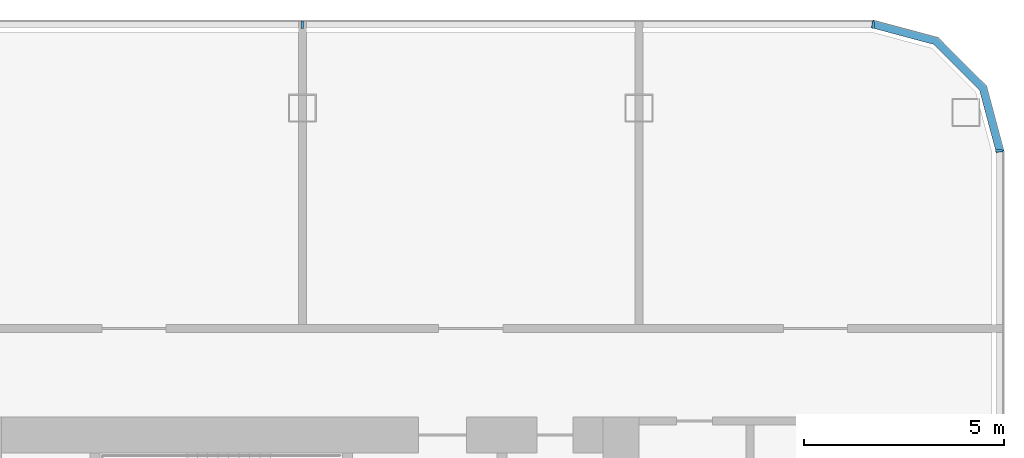
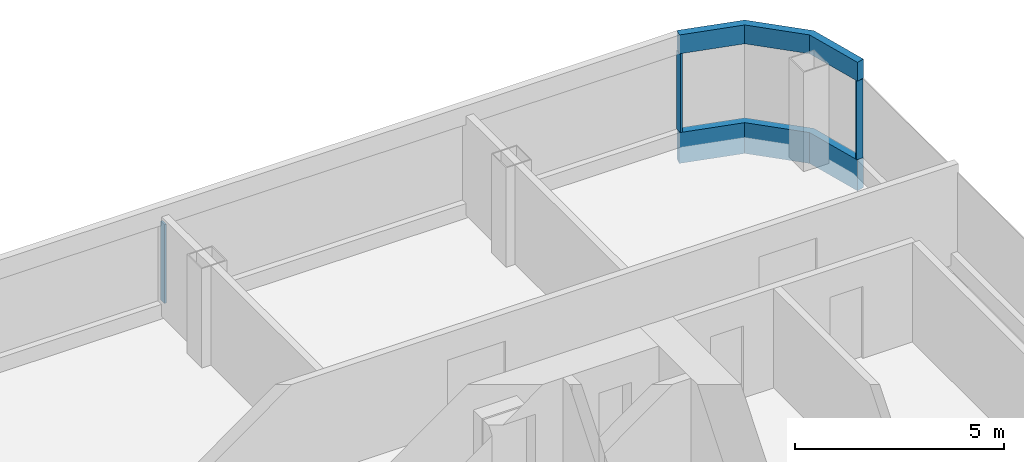
# One storey, part 10 of 26: 5 members, 3 elements without a shape of their own.
"""IFC4 building model written with IfcOpenShell, lengths in metres."""

from ifc_helpers import new_model, si_unit, direction, frame, origin, origin_2d, place, context, subcontext, project, spatial, polyline, rectangle, outline, extrude, material, layer, layer_set, material_profile, profile_set, type_object, element, aggregate, save


model = new_model("IFC4")

# Units and contexts
model_context = context("Model", 3, precision=1e-05, world=origin(), true_north=direction((0.0, 1.0)))
body_context = subcontext(model_context, "Body", "Model", "MODEL_VIEW")
ifc_project = project(units=[si_unit("LENGTHUNIT", "METRE"), si_unit("AREAUNIT", "SQUARE_METRE"), si_unit("VOLUMEUNIT", "CUBIC_METRE"), si_unit("PLANEANGLEUNIT", "RADIAN"), si_unit("MASSUNIT", "GRAM", prefix="KILO")], contexts=[model_context])

# Site, building, storey
site_placement = place(None, origin())
site = spatial("IfcSite", under=ifc_project, at=site_placement, CompositionType="ELEMENT")
building_placement = place(site_placement, origin())
building = spatial("IfcBuilding", under=site, at=building_placement, Name="Hakoniwa Tower and Hamabe Station Hall", CompositionType="ELEMENT")
storey_placement = place(building_placement, frame((0.0, 0.0, 172.60009765625)))
storey = spatial("IfcBuildingStorey", under=building, at=storey_placement, Name="L49", CompositionType="ELEMENT", Elevation=172.60009765625)

# Curtain wall, members
ifc_material_1 = material(Name="Dark low-e laminated glass", Category="glass")
ifc_layer = layer(ifc_material_1, 0.199951171875)
ifc_layer_set = layer_set([ifc_layer], Name="CW-1 UNITISED GUEST")
curtain_wall_type = type_object("IfcCurtainWallType", Name="CW-1 UNITISED GUEST", PredefinedType="NOTDEFINED", material=ifc_layer_set)
curtain_wall_1_placement = place(storey_placement, origin())
curtain_wall_1 = element("IfcCurtainWall", 1, at=curtain_wall_1_placement, inside=storey, type_object=curtain_wall_type, Name="CW-1 curtain wall", PredefinedType="NOTDEFINED")
ifc_material_2 = material(Name="Aluminium 6063-T5 black anodised", Category="aluminium")
ifc_material_profile_1 = material_profile(ifc_material_2, rectangle(XDim=0.199951171875, YDim=0.550048828125, at=origin_2d()), Name="CW HEAD BAND 550X200")
ifc_profile_set_1 = profile_set([ifc_material_profile_1], Name="Aluminium 6063-T5 black anodised")
member_type_1 = type_object("IfcMemberType", Name="CW HEAD BAND 550X200", PredefinedType="USERDEFINED", material=ifc_profile_set_1)
member_1_placement = place(storey_placement, frame((0.0, 0.0, 2.64990234375)))
member_1 = element("IfcMember", 2, at=member_1_placement, type_object=member_type_1, Name="CW-1 transom", ObjectType="TRANSOM", PredefinedType="USERDEFINED", context=body_context, shape_type="SweptSolid", body=[
    extrude(outline(polyline([(42.699951171875, 15.03955078125), (42.26708984375, 16.6552734375), (41.05517578125, 17.866943359375), (39.439453125, 18.300048828125), (39.3876953125, 18.10693359375), (40.95166015625, 17.687744140625), (42.087646484375, 16.5517578125), (42.5068359375, 14.98779296875), (42.699951171875, 15.03955078125)])), origin(), (0.0, 0.0, 1.0), 0.550048828125),
])
ifc_material_3 = material(Name="Aluminium 6063-T5 black anodised", Category="aluminium")
ifc_material_profile_2 = material_profile(ifc_material_3, rectangle(XDim=0.199951171875, YDim=0.89990234375, at=origin_2d()), Name="CW SLAB-EDGE BAND 900X200")
ifc_profile_set_2 = profile_set([ifc_material_profile_2], Name="Aluminium 6063-T5 black anodised")
member_type_2 = type_object("IfcMemberType", Name="CW SLAB-EDGE BAND 900X200", PredefinedType="USERDEFINED", material=ifc_profile_set_2)
member_2_placement = place(storey_placement, frame((0.0, 0.0, -0.550048828125)))
member_2 = element("IfcMember", 3, at=member_2_placement, type_object=member_type_2, Name="CW-1 transom", ObjectType="TRANSOM", PredefinedType="USERDEFINED", context=body_context, shape_type="SweptSolid", body=[
    extrude(outline(polyline([(42.699951171875, 15.03955078125), (42.26708984375, 16.6552734375), (41.05517578125, 17.866943359375), (39.439453125, 18.300048828125), (39.3876953125, 18.10693359375), (40.95166015625, 17.687744140625), (42.087646484375, 16.5517578125), (42.5068359375, 14.98779296875), (42.699951171875, 15.03955078125)])), origin(), (0.0, 0.0, 1.0), 0.89990234375),
])
aggregate(curtain_wall_1, [member_2, member_1])

# Curtain wall, member
curtain_wall_2_placement = place(storey_placement, origin())
curtain_wall_2 = element("IfcCurtainWall", 4, at=curtain_wall_2_placement, inside=storey, type_object=curtain_wall_type, Name="CW-1 curtain wall", PredefinedType="NOTDEFINED")
ifc_material_4 = material(Name="Aluminium 6063-T5 black anodised", Category="aluminium")
ifc_material_profile_3 = material_profile(ifc_material_4, rectangle(XDim=0.06005859375, YDim=0.179931640625, at=origin_2d()), Name="CW-1 MULLION 60X180")
ifc_profile_set_3 = profile_set([ifc_material_profile_3], Name="Aluminium 6063-T5 black anodised")
member_type_3 = type_object("IfcMemberType", Name="CW-1 MULLION 60X180", PredefinedType="MULLION", material=ifc_profile_set_3)
member_3_placement = place(storey_placement, frame((42.58203125, 15.03955078125, 0.349853515625), z_axis=(0.0, 0.0, 1.0), x_axis=(0.0, 1.0, 0.0)))
member_3 = element("IfcMember", 5, at=member_3_placement, type_object=member_type_3, Name="CW-1 mullion", PredefinedType="MULLION", context=body_context, shape_type="SweptSolid", body=[
    extrude(rectangle(XDim=0.06005859375, YDim=0.179931640625, at=origin_2d()), origin(), (0.0, 0.0, 1.0), 2.300048828125),
])
aggregate(curtain_wall_2, [member_3])

# Curtain wall, members
curtain_wall_3_placement = place(storey_placement, origin())
curtain_wall_3 = element("IfcCurtainWall", 6, at=curtain_wall_3_placement, inside=storey, type_object=curtain_wall_type, Name="CW-1 curtain wall", PredefinedType="NOTDEFINED")
member_4_placement = place(storey_placement, frame((39.439453125, 18.181884765625, 0.349853515625), z_axis=(0.0, 0.0, 1.0), x_axis=(-1.0, 0.0, 0.0)))
member_4 = element("IfcMember", 7, at=member_4_placement, type_object=member_type_3, Name="CW-1 mullion", PredefinedType="MULLION", context=body_context, shape_type="SweptSolid", body=[
    extrude(rectangle(XDim=0.06005859375, YDim=0.179931640625, at=origin_2d()), origin(), (0.0, 0.0, 1.0), 2.300048828125),
])
member_5_placement = place(storey_placement, frame((25.199951171875, 18.181884765625, 0.349853515625), z_axis=(0.0, 0.0, 1.0), x_axis=(-1.0, 0.0, 0.0)))
member_5 = element("IfcMember", 8, at=member_5_placement, type_object=member_type_3, Name="CW-1 mullion", PredefinedType="MULLION", context=body_context, shape_type="SweptSolid", body=[
    extrude(rectangle(XDim=0.06005859375, YDim=0.179931640625, at=origin_2d()), origin(), (0.0, 0.0, 1.0), 2.300048828125),
])
aggregate(curtain_wall_3, [member_4, member_5])

save(model, "model.ifc")
